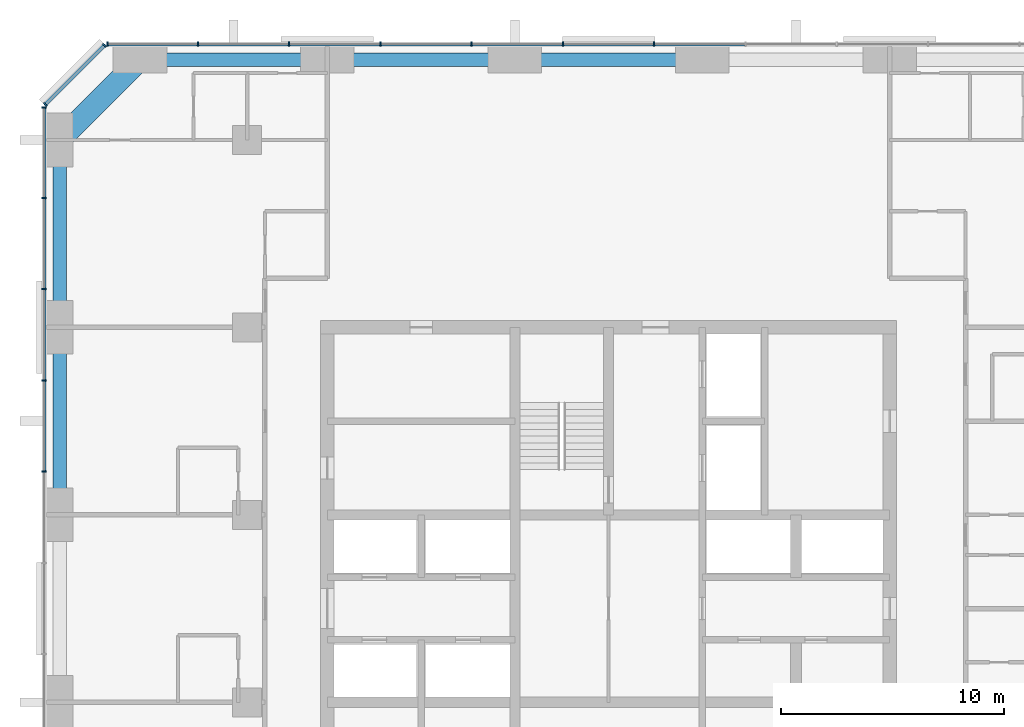
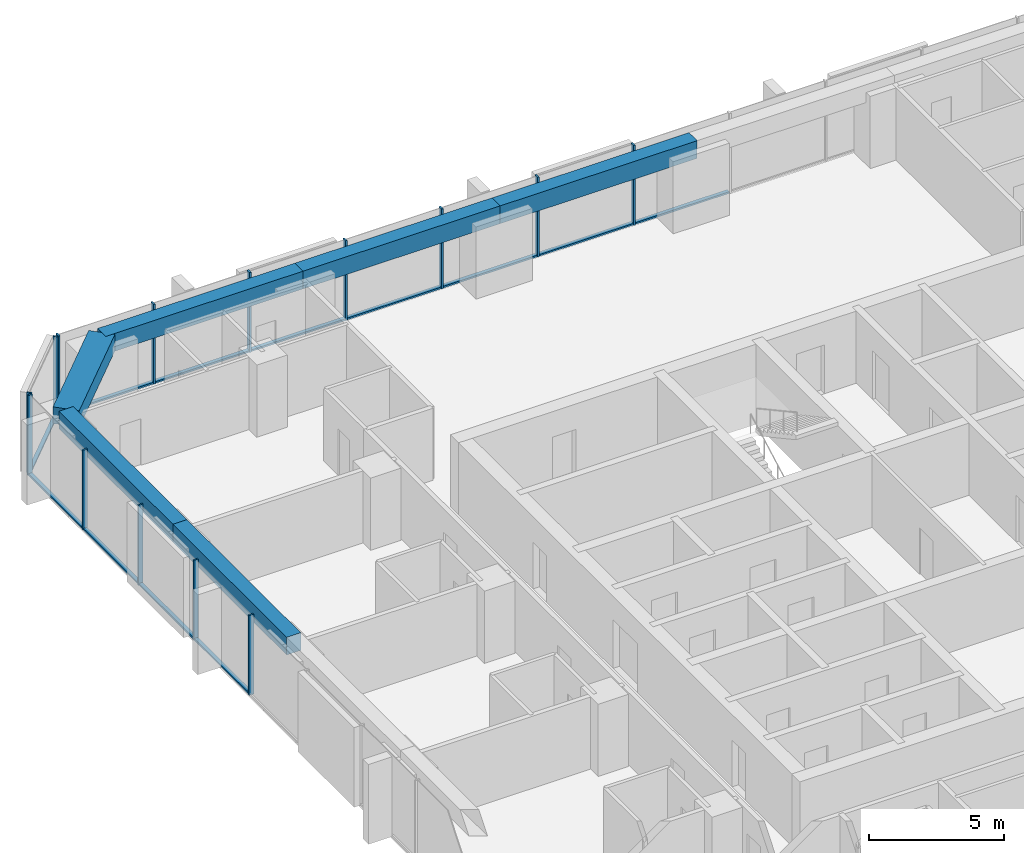
# One storey, part 5 of 13: 26 members, 6 beams, 3 elements without a shape of their own.
"""IFC4 building model written with IfcOpenShell, lengths in metres."""

from ifc_helpers import new_model, si_unit, direction, frame, origin, origin_2d, place, context, subcontext, project, spatial, rectangle, extrude, material, material_profile, profile_set, type_object, element, aggregate, save


model = new_model("IFC4")

# Units and contexts
model_context = context("Model", 3, precision=1e-05, world=origin(), true_north=direction((0.0, 1.0)))
body_context = subcontext(model_context, "Body", "Model", "MODEL_VIEW")
ifc_project = project(units=[si_unit("LENGTHUNIT", "METRE"), si_unit("AREAUNIT", "SQUARE_METRE"), si_unit("VOLUMEUNIT", "CUBIC_METRE"), si_unit("PLANEANGLEUNIT", "RADIAN"), si_unit("MASSUNIT", "GRAM", prefix="KILO")], contexts=[model_context])

# Site, building, storey
site_placement = place(None, origin())
site = spatial("IfcSite", under=ifc_project, at=site_placement, CompositionType="ELEMENT")
building_placement = place(site_placement, origin())
building = spatial("IfcBuilding", under=site, at=building_placement, Name="Dunama Terrace Hotel", CompositionType="ELEMENT")
storey_placement = place(building_placement, frame((0.0, 0.0, 191.39990234375)))
storey = spatial("IfcBuildingStorey", under=building, at=storey_placement, Name="L49", CompositionType="ELEMENT", Elevation=191.39990234375)

# Curtain wall, members
ifc_material_1 = material(Name="Aluminium curtain wall system", Category="aluminium")
curtain_wall_type = type_object("IfcCurtainWallType", Name="Unitised fritted glass wall CW-C", PredefinedType="NOTDEFINED", material=ifc_material_1)
curtain_wall_1_placement = place(storey_placement, origin())
curtain_wall_1 = element("IfcCurtainWall", 1, at=curtain_wall_1_placement, inside=storey, type_object=curtain_wall_type, Name="Unitised fritted glass wall CW-C L49", PredefinedType="NOTDEFINED")
ifc_material_2 = material(Name="Aluminium mullion", Category="aluminium")
ifc_material_profile_1 = material_profile(ifc_material_2, rectangle(XDim=0.070068359375, YDim=0.199951171875, at=origin_2d()), Name="CWC MULLION 70X200")
ifc_profile_set_1 = profile_set([ifc_material_profile_1], Name="Aluminium mullion")
member_type_1 = type_object("IfcMemberType", Name="CWC mullion 70x200", PredefinedType="MULLION", material=ifc_profile_set_1)
member_1_placement = place(storey_placement, frame((31.445068359375, 54.699951171875, 0.0), z_axis=(0.0, 0.0, 1.0), x_axis=(-1.0, 0.0, 0.0)))
member_1 = element("IfcMember", 2, at=member_1_placement, type_object=member_type_1, Name="CWC mullion", PredefinedType="MULLION", context=body_context, shape_type="SweptSolid", body=[
    extrude(rectangle(XDim=0.070068359375, YDim=0.199951171875, at=origin_2d()), origin(), (0.0, 0.0, 1.0), 3.60009765625),
])
member_2_placement = place(storey_placement, frame((27.35498046875, 54.699951171875, 0.0), z_axis=(0.0, 0.0, 1.0), x_axis=(-1.0, 0.0, 0.0)))
member_2 = element("IfcMember", 3, at=member_2_placement, type_object=member_type_1, Name="CWC mullion", PredefinedType="MULLION", context=body_context, shape_type="SweptSolid", body=[
    extrude(rectangle(XDim=0.070068359375, YDim=0.199951171875, at=origin_2d()), origin(), (0.0, 0.0, 1.0), 3.60009765625),
])
member_3_placement = place(storey_placement, frame((23.263916015625, 54.699951171875, 0.0), z_axis=(0.0, 0.0, 1.0), x_axis=(-1.0, 0.0, 0.0)))
member_3 = element("IfcMember", 4, at=member_3_placement, type_object=member_type_1, Name="CWC mullion", PredefinedType="MULLION", context=body_context, shape_type="SweptSolid", body=[
    extrude(rectangle(XDim=0.070068359375, YDim=0.199951171875, at=origin_2d()), origin(), (0.0, 0.0, 1.0), 3.60009765625),
])
member_4_placement = place(storey_placement, frame((19.173095703125, 54.699951171875, 0.0), z_axis=(0.0, 0.0, 1.0), x_axis=(-1.0, 0.0, 0.0)))
member_4 = element("IfcMember", 5, at=member_4_placement, type_object=member_type_1, Name="CWC mullion", PredefinedType="MULLION", context=body_context, shape_type="SweptSolid", body=[
    extrude(rectangle(XDim=0.070068359375, YDim=0.199951171875, at=origin_2d()), origin(), (0.0, 0.0, 1.0), 3.60009765625),
])
member_5_placement = place(storey_placement, frame((15.08203125, 54.699951171875, 0.0), z_axis=(0.0, 0.0, 1.0), x_axis=(-1.0, 0.0, 0.0)))
member_5 = element("IfcMember", 6, at=member_5_placement, type_object=member_type_1, Name="CWC mullion", PredefinedType="MULLION", context=body_context, shape_type="SweptSolid", body=[
    extrude(rectangle(XDim=0.070068359375, YDim=0.199951171875, at=origin_2d()), origin(), (0.0, 0.0, 1.0), 3.60009765625),
])
member_6_placement = place(storey_placement, frame((10.990966796875, 54.699951171875, 0.0), z_axis=(0.0, 0.0, 1.0), x_axis=(-1.0, 0.0, 0.0)))
member_6 = element("IfcMember", 7, at=member_6_placement, type_object=member_type_1, Name="CWC mullion", PredefinedType="MULLION", context=body_context, shape_type="SweptSolid", body=[
    extrude(rectangle(XDim=0.070068359375, YDim=0.199951171875, at=origin_2d()), origin(), (0.0, 0.0, 1.0), 3.60009765625),
])
member_7_placement = place(storey_placement, frame((6.93505859375, 54.699951171875, 0.0), z_axis=(0.0, 0.0, 1.0), x_axis=(-1.0, 0.0, 0.0)))
member_7 = element("IfcMember", 8, at=member_7_placement, type_object=member_type_1, Name="CWC mullion", PredefinedType="MULLION", context=body_context, shape_type="SweptSolid", body=[
    extrude(rectangle(XDim=0.070068359375, YDim=0.199951171875, at=origin_2d()), origin(), (0.0, 0.0, 1.0), 3.60009765625),
])

curtain_wall_2_placement = place(storey_placement, origin())
curtain_wall_2 = element("IfcCurtainWall", 9, at=curtain_wall_2_placement, inside=storey, type_object=curtain_wall_type, Name="Unitised fritted glass wall CW-C L49", PredefinedType="NOTDEFINED")
member_8_placement = place(storey_placement, frame((6.804931640625, 54.64599609375, 0.0), z_axis=(0.0, 0.0, 1.0), x_axis=(-0.707106781187, -0.707106781187, 0.0)))
member_8 = element("IfcMember", 10, at=member_8_placement, type_object=member_type_1, Name="CWC mullion", PredefinedType="MULLION", context=body_context, shape_type="SweptSolid", body=[
    extrude(rectangle(XDim=0.070068359375, YDim=0.199951171875, at=origin_2d()), origin(), (0.0, 0.0, 1.0), 3.60009765625),
])
member_9_placement = place(storey_placement, frame((4.154052734375, 51.9951171875, 0.0), z_axis=(0.0, 0.0, 1.0), x_axis=(-0.707106781187, -0.707106781187, 0.0)))
member_9 = element("IfcMember", 11, at=member_9_placement, type_object=member_type_1, Name="CWC mullion", PredefinedType="MULLION", context=body_context, shape_type="SweptSolid", body=[
    extrude(rectangle(XDim=0.070068359375, YDim=0.199951171875, at=origin_2d()), origin(), (0.0, 0.0, 1.0), 3.60009765625),
])

curtain_wall_3_placement = place(storey_placement, origin())
curtain_wall_3 = element("IfcCurtainWall", 12, at=curtain_wall_3_placement, inside=storey, type_object=curtain_wall_type, Name="Unitised fritted glass wall CW-C L49", PredefinedType="NOTDEFINED")
member_10_placement = place(storey_placement, frame((4.10009765625, 51.864990234375, 0.0), z_axis=(0.0, 0.0, 1.0), x_axis=(0.0, -1.0, 0.0)))
member_10 = element("IfcMember", 13, at=member_10_placement, type_object=member_type_1, Name="CWC mullion", PredefinedType="MULLION", context=body_context, shape_type="SweptSolid", body=[
    extrude(rectangle(XDim=0.070068359375, YDim=0.199951171875, at=origin_2d()), origin(), (0.0, 0.0, 1.0), 3.60009765625),
])
member_11_placement = place(storey_placement, frame((4.10009765625, 47.80908203125, 0.0), z_axis=(0.0, 0.0, 1.0), x_axis=(0.0, -1.0, 0.0)))
member_11 = element("IfcMember", 14, at=member_11_placement, type_object=member_type_1, Name="CWC mullion", PredefinedType="MULLION", context=body_context, shape_type="SweptSolid", body=[
    extrude(rectangle(XDim=0.070068359375, YDim=0.199951171875, at=origin_2d()), origin(), (0.0, 0.0, 1.0), 3.60009765625),
])
member_12_placement = place(storey_placement, frame((4.10009765625, 43.718017578125, 0.0), z_axis=(0.0, 0.0, 1.0), x_axis=(0.0, -1.0, 0.0)))
member_12 = element("IfcMember", 15, at=member_12_placement, type_object=member_type_1, Name="CWC mullion", PredefinedType="MULLION", context=body_context, shape_type="SweptSolid", body=[
    extrude(rectangle(XDim=0.070068359375, YDim=0.199951171875, at=origin_2d()), origin(), (0.0, 0.0, 1.0), 3.60009765625),
])
member_13_placement = place(storey_placement, frame((4.10009765625, 39.626953125, 0.0), z_axis=(0.0, 0.0, 1.0), x_axis=(0.0, -1.0, 0.0)))
member_13 = element("IfcMember", 16, at=member_13_placement, type_object=member_type_1, Name="CWC mullion", PredefinedType="MULLION", context=body_context, shape_type="SweptSolid", body=[
    extrude(rectangle(XDim=0.070068359375, YDim=0.199951171875, at=origin_2d()), origin(), (0.0, 0.0, 1.0), 3.60009765625),
])
member_14_placement = place(storey_placement, frame((4.10009765625, 35.535888671875, 0.0), z_axis=(0.0, 0.0, 1.0), x_axis=(0.0, -1.0, 0.0)))
member_14 = element("IfcMember", 17, at=member_14_placement, type_object=member_type_1, Name="CWC mullion", PredefinedType="MULLION", context=body_context, shape_type="SweptSolid", body=[
    extrude(rectangle(XDim=0.070068359375, YDim=0.199951171875, at=origin_2d()), origin(), (0.0, 0.0, 1.0), 3.60009765625),
])

# Member
ifc_material_3 = material(Name="Aluminium transom", Category="aluminium")
ifc_material_profile_2 = material_profile(ifc_material_3, rectangle(XDim=0.159912109375, YDim=0.080078125, at=origin_2d()), Name="CWC TRANSOM 160X80")
ifc_profile_set_2 = profile_set([ifc_material_profile_2], Name="Aluminium transom")
member_type_2 = type_object("IfcMemberType", Name="CWC transom 160x80", PredefinedType="USERDEFINED", material=ifc_profile_set_2)
member_15_placement = place(storey_placement, frame((35.5009765625, 54.699951171875, 0.0400390625), z_axis=(-1.0, 0.0, 0.0), x_axis=(0.0, -1.0, 0.0)))
member_15 = element("IfcMember", 18, at=member_15_placement, type_object=member_type_2, Name="CWC transom", ObjectType="TRANSOM", PredefinedType="USERDEFINED", context=body_context, shape_type="SweptSolid", body=[
    extrude(rectangle(XDim=0.159912109375, YDim=0.080078125, at=origin_2d()), origin(), (0.0, 0.0, 1.0), 4.02099609375),
])

member_16_placement = place(storey_placement, frame((31.409912109375, 54.699951171875, 0.0400390625), z_axis=(-1.0, 0.0, 0.0), x_axis=(0.0, -1.0, 0.0)))
member_16 = element("IfcMember", 19, at=member_16_placement, type_object=member_type_2, Name="CWC transom", ObjectType="TRANSOM", PredefinedType="USERDEFINED", context=body_context, shape_type="SweptSolid", body=[
    extrude(rectangle(XDim=0.159912109375, YDim=0.080078125, at=origin_2d()), origin(), (0.0, 0.0, 1.0), 4.02001953125),
])

member_17_placement = place(storey_placement, frame((27.320068359375, 54.699951171875, 0.0400390625), z_axis=(-1.0, 0.0, 0.0), x_axis=(0.0, -1.0, 0.0)))
member_17 = element("IfcMember", 20, at=member_17_placement, type_object=member_type_2, Name="CWC transom", ObjectType="TRANSOM", PredefinedType="USERDEFINED", context=body_context, shape_type="SweptSolid", body=[
    extrude(rectangle(XDim=0.159912109375, YDim=0.080078125, at=origin_2d()), origin(), (0.0, 0.0, 1.0), 4.02099609375),
])

member_18_placement = place(storey_placement, frame((23.22900390625, 54.699951171875, 0.0400390625), z_axis=(-1.0, 0.0, 0.0), x_axis=(0.0, -1.0, 0.0)))
member_18 = element("IfcMember", 21, at=member_18_placement, type_object=member_type_2, Name="CWC transom", ObjectType="TRANSOM", PredefinedType="USERDEFINED", context=body_context, shape_type="SweptSolid", body=[
    extrude(rectangle(XDim=0.159912109375, YDim=0.080078125, at=origin_2d()), origin(), (0.0, 0.0, 1.0), 4.02099609375),
])

member_19_placement = place(storey_placement, frame((19.137939453125, 54.699951171875, 0.0400390625), z_axis=(-1.0, 0.0, 0.0), x_axis=(0.0, -1.0, 0.0)))
member_19 = element("IfcMember", 22, at=member_19_placement, type_object=member_type_2, Name="CWC transom", ObjectType="TRANSOM", PredefinedType="USERDEFINED", context=body_context, shape_type="SweptSolid", body=[
    extrude(rectangle(XDim=0.159912109375, YDim=0.080078125, at=origin_2d()), origin(), (0.0, 0.0, 1.0), 4.02099609375),
])

member_20_placement = place(storey_placement, frame((15.047119140625, 54.699951171875, 0.0400390625), z_axis=(-1.0, 0.0, 0.0), x_axis=(0.0, -1.0, 0.0)))
member_20 = element("IfcMember", 23, at=member_20_placement, type_object=member_type_2, Name="CWC transom", ObjectType="TRANSOM", PredefinedType="USERDEFINED", context=body_context, shape_type="SweptSolid", body=[
    extrude(rectangle(XDim=0.159912109375, YDim=0.080078125, at=origin_2d()), origin(), (0.0, 0.0, 1.0), 4.021240234375),
])

member_21_placement = place(storey_placement, frame((10.9560546875, 54.699951171875, 0.0400390625), z_axis=(-1.0, 0.0, 0.0), x_axis=(0.0, -1.0, 0.0)))
member_21 = element("IfcMember", 24, at=member_21_placement, type_object=member_type_2, Name="CWC transom", ObjectType="TRANSOM", PredefinedType="USERDEFINED", context=body_context, shape_type="SweptSolid", body=[
    extrude(rectangle(XDim=0.159912109375, YDim=0.080078125, at=origin_2d()), origin(), (0.0, 0.0, 1.0), 3.986083984375),
])

aggregate(curtain_wall_1, [member_1, member_2, member_3, member_4, member_5, member_6, member_7, member_15, member_16, member_17, member_18, member_19, member_20, member_21])

member_22_placement = place(storey_placement, frame((6.780029296875, 54.62109375, 0.0400390625), z_axis=(-0.707106781187, -0.707106781187, 0.0), x_axis=(0.707106781187, -0.707106781187, 0.0)))
member_22 = element("IfcMember", 25, at=member_22_placement, type_object=member_type_2, Name="CWC transom", ObjectType="TRANSOM", PredefinedType="USERDEFINED", context=body_context, shape_type="SweptSolid", body=[
    extrude(rectangle(XDim=0.159912109375, YDim=0.080078125, at=origin_2d()), origin(), (0.0, 0.0, 1.0), 3.678466796875),
])

aggregate(curtain_wall_2, [member_8, member_9, member_22])

member_23_placement = place(storey_placement, frame((4.10009765625, 51.830078125, 0.0400390625), z_axis=(0.0, -1.0, 0.0), x_axis=(1.0, 0.0, 0.0)))
member_23 = element("IfcMember", 26, at=member_23_placement, type_object=member_type_2, Name="CWC transom", ObjectType="TRANSOM", PredefinedType="USERDEFINED", context=body_context, shape_type="SweptSolid", body=[
    extrude(rectangle(XDim=0.159912109375, YDim=0.080078125, at=origin_2d()), origin(), (0.0, 0.0, 1.0), 3.986083984375),
])

member_24_placement = place(storey_placement, frame((4.10009765625, 47.77392578125, 0.0400390625), z_axis=(0.0, -1.0, 0.0), x_axis=(1.0, 0.0, 0.0)))
member_24 = element("IfcMember", 27, at=member_24_placement, type_object=member_type_2, Name="CWC transom", ObjectType="TRANSOM", PredefinedType="USERDEFINED", context=body_context, shape_type="SweptSolid", body=[
    extrude(rectangle(XDim=0.159912109375, YDim=0.080078125, at=origin_2d()), origin(), (0.0, 0.0, 1.0), 4.02099609375),
])

member_25_placement = place(storey_placement, frame((4.10009765625, 43.68310546875, 0.0400390625), z_axis=(0.0, -1.0, 0.0), x_axis=(1.0, 0.0, 0.0)))
member_25 = element("IfcMember", 28, at=member_25_placement, type_object=member_type_2, Name="CWC transom", ObjectType="TRANSOM", PredefinedType="USERDEFINED", context=body_context, shape_type="SweptSolid", body=[
    extrude(rectangle(XDim=0.159912109375, YDim=0.080078125, at=origin_2d()), origin(), (0.0, 0.0, 1.0), 4.02099609375),
])

member_26_placement = place(storey_placement, frame((4.10009765625, 39.592041015625, 0.0400390625), z_axis=(0.0, -1.0, 0.0), x_axis=(1.0, 0.0, 0.0)))
member_26 = element("IfcMember", 29, at=member_26_placement, type_object=member_type_2, Name="CWC transom", ObjectType="TRANSOM", PredefinedType="USERDEFINED", context=body_context, shape_type="SweptSolid", body=[
    extrude(rectangle(XDim=0.159912109375, YDim=0.080078125, at=origin_2d()), origin(), (0.0, 0.0, 1.0), 4.02099609375),
])

aggregate(curtain_wall_3, [member_10, member_11, member_12, member_13, member_14, member_23, member_24, member_25, member_26])

# Beams
ifc_material_4 = material(Name="Concrete C50/60", Category="concrete")
ifc_material_profile_3 = material_profile(ifc_material_4, rectangle(XDim=1.0, YDim=0.75, at=origin_2d()), Name="RC 1000x750")
ifc_profile_set_3 = profile_set([ifc_material_profile_3], Name="Concrete C50/60")
beam_type_1 = type_object("IfcBeamType", Name="Edge beam RC 1000x750", PredefinedType="SPANDREL", material=ifc_profile_set_3)
beam_1_placement = place(storey_placement, frame((8.39990234375, 54.0, 3.22509765625), z_axis=(-0.707082803744, -0.707130757816, 0.0), x_axis=(0.707130757816, -0.707082803744, 0.0)))
element("IfcBeam", 30, at=beam_1_placement, inside=storey, type_object=beam_type_1, Name="Corner edge beam under L50", PredefinedType="SPANDREL", context=body_context, shape_type="SweptSolid", body=[
    extrude(rectangle(XDim=1.0, YDim=0.75, at=origin_2d()), origin(), (0.0, 0.0, 1.0), 5.091064453125),
])
ifc_material_5 = material(Name="Concrete C40/50", Category="concrete")
ifc_material_profile_4 = material_profile(ifc_material_5, rectangle(XDim=0.60009765625, YDim=0.800048828125, at=origin_2d()), Name="RC 600x800")
ifc_profile_set_4 = profile_set([ifc_material_profile_4], Name="Concrete C40/50")
beam_type_2 = type_object("IfcBeamType", Name="Edge beam RC 600x800", PredefinedType="SPANDREL", material=ifc_profile_set_4)
for number, where, z_axis, x_axis, name in (
    (31, (4.800048828125, 33.60009765625, 3.2001953125), (0.0, 1.0, 0.0), (-1.0, 0.0, 0.0), "Edge beam under L50"),
    (32, (4.800048828125, 42.0, 3.2001953125), (0.0, 1.0, 0.0), (-1.0, 0.0, 0.0), "Edge beam under L50"),
):
    element("IfcBeam", number, at=place(storey_placement, frame(where, z_axis=z_axis, x_axis=x_axis)), inside=storey, type_object=beam_type_2, Name=name, PredefinedType="SPANDREL", context=body_context, shape_type="SweptSolid", body=[
        extrude(rectangle(XDim=0.60009765625, YDim=0.800048828125, at=origin_2d()), origin(), (0.0, 0.0, 1.0), 8.39990234375),
    ])
beam_2_placement = place(storey_placement, frame((8.39990234375, 54.0, 3.2001953125), z_axis=(1.0, 0.0, 0.0), x_axis=(0.0, 1.0, 0.0)))
element("IfcBeam", 33, at=beam_2_placement, inside=storey, type_object=beam_type_2, Name="Edge beam under L50", PredefinedType="SPANDREL", context=body_context, shape_type="SweptSolid", body=[
    extrude(rectangle(XDim=0.60009765625, YDim=0.800048828125, at=origin_2d()), origin(), (0.0, 0.0, 1.0), 8.400146484375),
])
beam_3_placement = place(storey_placement, frame((16.800048828125, 54.0, 3.2001953125), z_axis=(1.0, 0.0, 0.0), x_axis=(0.0, 1.0, 0.0)))
element("IfcBeam", 34, at=beam_3_placement, inside=storey, type_object=beam_type_2, Name="Edge beam under L50", PredefinedType="SPANDREL", context=body_context, shape_type="SweptSolid", body=[
    extrude(rectangle(XDim=0.60009765625, YDim=0.800048828125, at=origin_2d()), origin(), (0.0, 0.0, 1.0), 8.39990234375),
])
beam_4_placement = place(storey_placement, frame((25.199951171875, 54.0, 3.2001953125), z_axis=(1.0, 0.0, 0.0), x_axis=(0.0, 1.0, 0.0)))
element("IfcBeam", 35, at=beam_4_placement, inside=storey, type_object=beam_type_2, Name="Edge beam under L50", PredefinedType="SPANDREL", context=body_context, shape_type="SweptSolid", body=[
    extrude(rectangle(XDim=0.60009765625, YDim=0.800048828125, at=origin_2d()), origin(), (0.0, 0.0, 1.0), 8.400146484375),
])

save(model, "model.ifc")
